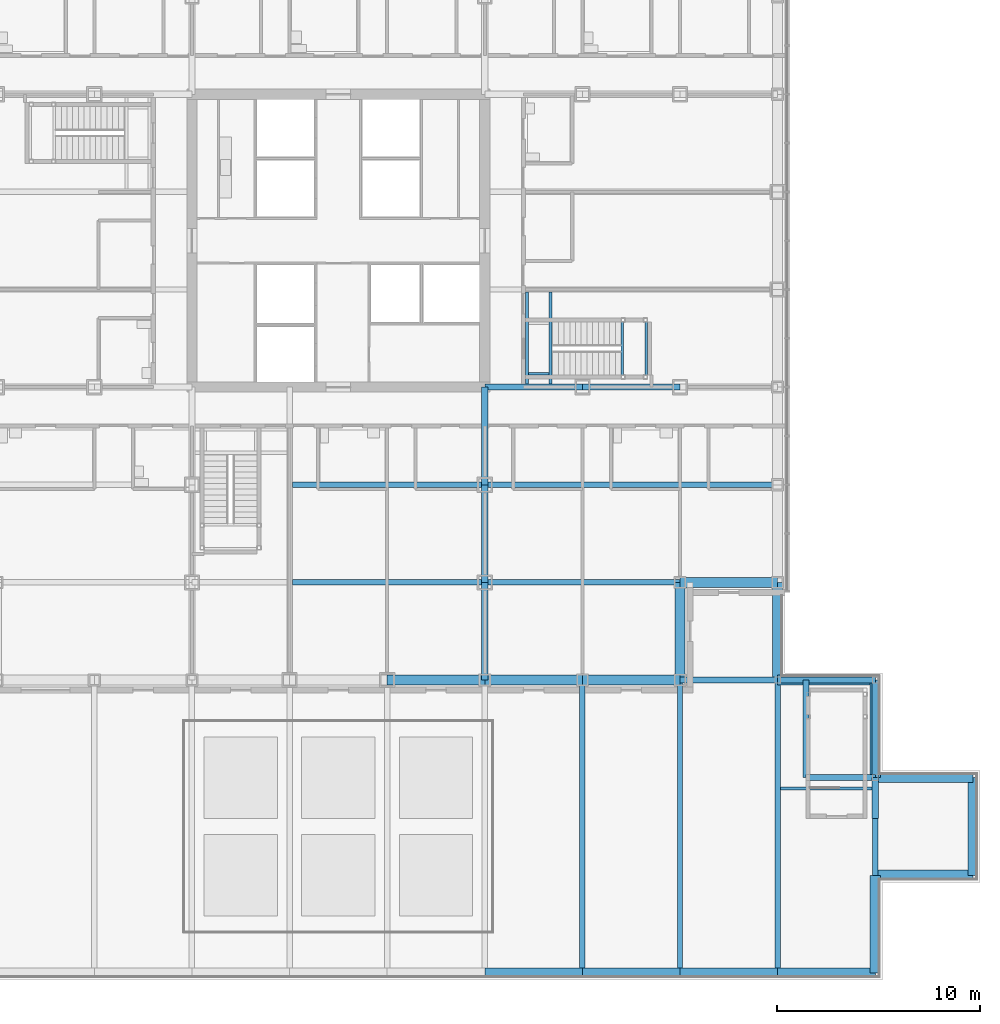
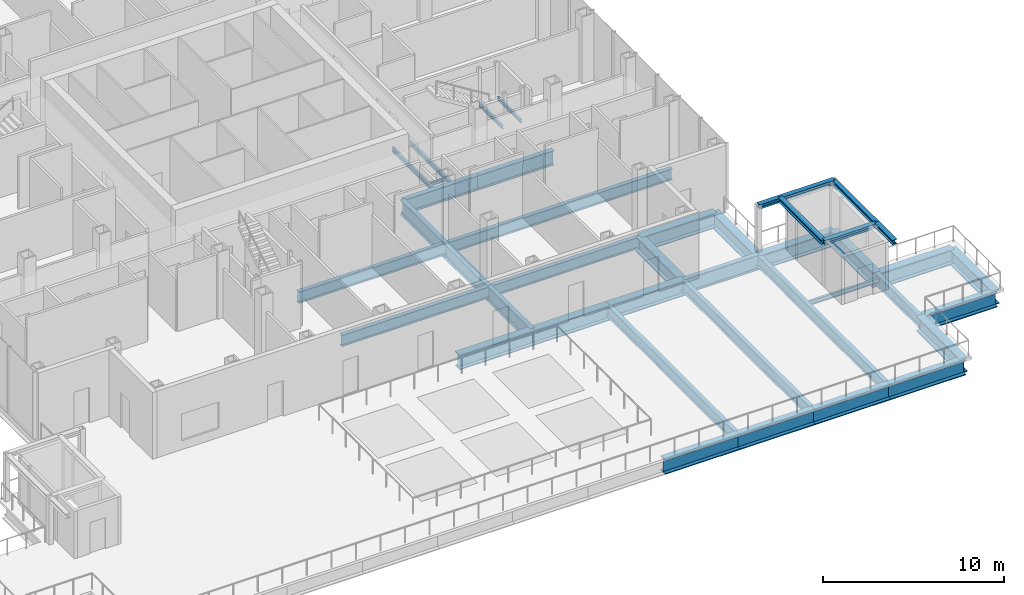
# One storey, part 10 of 24: 41 beams.
"""IFC4 building model written with IfcOpenShell, lengths in metres."""

import ifcopenshell
import ifcopenshell.guid

model = None  # the IFC model being written
_history = None  # IfcOwnerHistory: only IFC2X3 demands one
_inside = {}  # id of a spatial element -> (the spatial element, [elements in it])
_under = {}  # id of a project, library or spatial element -> (it, [spatial elements below it])
_declared = {}  # id of a project -> (the project, [libraries it declares])
_typed = {}  # id of a type object -> (the type object, [elements of that type])
_made_of = {}  # id of a material, layer set ... -> (it, [elements and type objects made of it])


def new_model(schema):
    """Start an empty IFC model of exactly this schema.

    Asked for "IFC4X3", IfcOpenShell would pick the latest addendum, in which some entities
    have other attributes; the version numbers below select the first issue.
    IFC2X3 requires an IfcOwnerHistory on every rooted entity: one is made here for all.
    """
    global model, _history
    if schema == "IFC4X3":
        model = ifcopenshell.file(schema_version=(4, 3, 0, 0))
    else:
        model = ifcopenshell.file(schema=schema)
    _inside.clear()
    _under.clear()
    _declared.clear()
    _typed.clear()
    _made_of.clear()
    _history = None
    if model.schema == "IFC2X3":
        org = make("IfcOrganization", Name="unknown")
        user = make(
            "IfcPersonAndOrganization",
            ThePerson=make("IfcPerson", FamilyName="unknown"),
            TheOrganization=org,
        )
        app = make(
            "IfcApplication",
            ApplicationDeveloper=org,
            Version="unknown",
            ApplicationFullName="unknown",
            ApplicationIdentifier="unknown",
        )
        _history = make(
            "IfcOwnerHistory",
            OwningUser=user,
            OwningApplication=app,
            ChangeAction="ADDED",
            CreationDate=0,
        )
    return model


def make(cls, **values):
    """One entity of the class cls with the attributes given. An attribute that is None is left unset."""
    return model.create_entity(
        cls, **{name: value for name, value in values.items() if value is not None}
    )


def rooted(cls, **values):
    """An entity with a GlobalId (a new one), such as an element, a storey or a relation."""
    return make(cls, GlobalId=ifcopenshell.guid.new(), OwnerHistory=_history, **values)


def si_unit(unit_type, name, prefix=None):
    """IfcSIUnit, for example si_unit("LENGTHUNIT", "METRE", prefix="MILLI")."""
    return make("IfcSIUnit", UnitType=unit_type, Prefix=prefix, Name=name)


def assignment(units):
    """IfcUnitAssignment: the units of a project."""
    return None if units is None else make("IfcUnitAssignment", Units=units)


def point(xyz):
    """IfcCartesianPoint."""
    return None if xyz is None else make("IfcCartesianPoint", Coordinates=xyz)


def direction(xyz):
    """IfcDirection."""
    return None if xyz is None else make("IfcDirection", DirectionRatios=xyz)


def frame(location, z_axis=None, x_axis=None):
    """IfcAxis2Placement3D, a coordinate frame: its origin and axes. An axis left out is left unset."""
    return make(
        "IfcAxis2Placement3D",
        Location=point(location),
        Axis=direction(z_axis),
        RefDirection=direction(x_axis),
    )


def frame_2d(location, x_axis=None):
    """IfcAxis2Placement2D, a coordinate frame in the plane: its origin and x axis."""
    return make(
        "IfcAxis2Placement2D", Location=point(location), RefDirection=direction(x_axis)
    )


def origin():
    """The frame at (0, 0, 0) with its axes left unset."""
    return frame((0.0, 0.0, 0.0))


def origin_2d():
    """The frame at (0, 0) in the plane with its x axis left unset."""
    return frame_2d((0.0, 0.0))


def place(relative_to, where):
    """IfcLocalPlacement: puts the frame where relative to a parent placement (None: the world)."""
    return make(
        "IfcLocalPlacement", PlacementRelTo=relative_to, RelativePlacement=where
    )


def context(
    kind, dimensions, precision=None, world=None, true_north=None, identifier=None
):
    """IfcGeometricRepresentationContext, for example the 3D "Model" context."""
    return make(
        "IfcGeometricRepresentationContext",
        ContextIdentifier=identifier,
        ContextType=kind,
        CoordinateSpaceDimension=dimensions,
        Precision=precision,
        WorldCoordinateSystem=world,
        TrueNorth=true_north,
    )


def subcontext(parent, identifier, kind, view, scale=None):
    """IfcGeometricRepresentationSubContext, for example "Body" below "Model"."""
    return make(
        "IfcGeometricRepresentationSubContext",
        ContextIdentifier=identifier,
        ContextType=kind,
        ParentContext=parent,
        TargetScale=scale,
        TargetView=view,
    )


def project(units=None, contexts=None):
    """IfcProject with its units and contexts."""
    return rooted(
        "IfcProject",
        Name="project",
        RepresentationContexts=contexts,
        UnitsInContext=assignment(units),
    )


def spatial(cls, under=None, at=None, **own):
    """A site, building, storey or space (cls), placed at a placement, below another one or the project."""
    s = rooted(cls, ObjectPlacement=at, **own)
    if under is not None:
        _under.setdefault(under.id(), (under, []))[1].append(s)
    return s


def profile(cls, at=None, kind="AREA", **sizes):
    """A parametric profile (cls). Its sizes go by their IFC names, for example OverallWidth=200.0."""
    return make(cls, ProfileType=kind, Position=at, **sizes)


def i_section(**sizes):
    """IfcIShapeProfileDef."""
    return profile("IfcIShapeProfileDef", **sizes)


def extrude(swept, where, along, depth):
    """IfcExtrudedAreaSolid: the profile swept, set in the frame where, extruded along a direction by depth."""
    return make(
        "IfcExtrudedAreaSolid",
        SweptArea=swept,
        Position=where,
        ExtrudedDirection=direction(along),
        Depth=depth,
    )


def shape(context_of_items, identifier, shape_type, items):
    """IfcShapeRepresentation: the items that make up one representation, for example the "Body"."""
    return make(
        "IfcShapeRepresentation",
        ContextOfItems=context_of_items,
        RepresentationIdentifier=identifier,
        RepresentationType=shape_type,
        Items=items,
    )


def material(Name=None, Category=None):
    """IfcMaterial."""
    return make("IfcMaterial", Name=Name, Category=Category)


def material_profile(
    of_material, cross_section, Name=None, Category=None, Priority=None
):
    """IfcMaterialProfile: a cross section and its material."""
    return make(
        "IfcMaterialProfile",
        Name=Name,
        Material=of_material,
        Profile=cross_section,
        Priority=Priority,
        Category=Category,
    )


def profile_set(profiles, Name=None, composite=None):
    """IfcMaterialProfileSet."""
    return make(
        "IfcMaterialProfileSet",
        Name=Name,
        MaterialProfiles=profiles,
        CompositeProfile=composite,
    )


def made_of(thing, what):
    """Note that an element or type object is made of a material, layer set ...; save() writes the relation."""
    if what is not None:
        _made_of.setdefault(what.id(), (what, []))[1].append(thing)
    return thing


def type_object(cls, material=None, **own):
    """A type object (cls), such as IfcWallType, which elements share."""
    return made_of(rooted(cls, **own), material)


def element(
    cls,
    number,
    at=None,
    inside=None,
    cuts=None,
    type_object=None,
    material=None,
    context=None,
    identifier="Body",
    shape_type=None,
    held_by="IfcProductDefinitionShape",
    body=None,
    shapes=None,
    **own,
):
    """One element of the class cls, such as IfcWall. Its Tag is "e" and its number.

    at: its placement. inside: the storey or other place that contains it. cuts: it is an
    opening in that element (IfcRelVoidsElement). A single representation is given by context,
    identifier, shape_type and body (its items); several are given by shapes. held_by: the class
    of the entity that holds the representations. save() writes the other relations.
    """
    e = rooted(cls, Tag="e%d" % number, ObjectPlacement=at, **own)
    if body is not None:
        shapes = [shape(context, identifier, shape_type, body)]
    if shapes is not None:
        e.Representation = make(held_by, Representations=shapes)
    if inside is not None:
        _inside.setdefault(inside.id(), (inside, []))[1].append(e)
    if cuts is not None:
        rooted(
            "IfcRelVoidsElement", RelatingBuildingElement=cuts, RelatedOpeningElement=e
        )
    if type_object is not None:
        _typed.setdefault(type_object.id(), (type_object, []))[1].append(e)
    return made_of(e, material)


def aggregate(whole, parts):
    """IfcRelAggregates: a whole, such as a stair, and the parts it consists of."""
    return rooted("IfcRelAggregates", RelatingObject=whole, RelatedObjects=parts)


def save(model, path):
    """Write the relations noted so far, then the file.

    IfcRelAggregates (storeys below a building ...), IfcRelContainedInSpatialStructure (elements
    in a storey), IfcRelDefinesByType, IfcRelAssociatesMaterial and IfcRelDeclares: one each for
    every whole, place, type object, material and project.
    """
    for whole, parts in _under.values():
        aggregate(whole, parts)
    for where, things in _inside.values():
        rooted(
            "IfcRelContainedInSpatialStructure",
            RelatedElements=things,
            RelatingStructure=where,
        )
    for kind, things in _typed.values():
        rooted("IfcRelDefinesByType", RelatedObjects=things, RelatingType=kind)
    for what, things in _made_of.values():
        rooted("IfcRelAssociatesMaterial", RelatedObjects=things, RelatingMaterial=what)
    for by, libraries in _declared.values():
        rooted("IfcRelDeclares", RelatingContext=by, RelatedDefinitions=libraries)
    model.write(path)


model = new_model("IFC4")

# Units and contexts
model_context = context("Model", 3, precision=1e-05, world=origin(), true_north=direction((0.0, 1.0)))
body_context = subcontext(model_context, "Body", "Model", "MODEL_VIEW")
ifc_project = project(units=[si_unit("LENGTHUNIT", "METRE"), si_unit("AREAUNIT", "SQUARE_METRE"), si_unit("VOLUMEUNIT", "CUBIC_METRE"), si_unit("PLANEANGLEUNIT", "RADIAN"), si_unit("MASSUNIT", "GRAM", prefix="KILO")], contexts=[model_context])

# Site, building, storey
site_placement = place(None, origin())
site = spatial("IfcSite", under=ifc_project, at=site_placement, CompositionType="ELEMENT")
building_placement = place(site_placement, origin())
building = spatial("IfcBuilding", under=site, at=building_placement, Name="Kvirike Care Tower", CompositionType="ELEMENT")
storey_placement = place(building_placement, frame((0.0, 0.0, 22.5)))
storey = spatial("IfcBuildingStorey", under=building, at=storey_placement, Name="L05", CompositionType="ELEMENT", Elevation=22.5)

# Beams
ifc_material_1 = material(Name="Steel S355", Category="steel")
ifc_material_profile_1 = material_profile(ifc_material_1, i_section(OverallWidth=0.26806640625, OverallDepth=0.77001953125, WebThickness=0.015625, FlangeThickness=0.025390625, FilletRadius=0.01708984375, at=origin_2d()), Name="IPE 750x196")
ifc_profile_set_1 = profile_set([ifc_material_profile_1], Name="Steel S355")
beam_type_1 = type_object("IfcBeamType", Name="FLOOR BEAM IPE 750x196", PredefinedType="BEAM", material=ifc_profile_set_1)
beam_1_placement = place(storey_placement, frame((19.333984375, 19.199951171875, -0.554931640625), z_axis=(1.0, 0.0, 0.0), x_axis=(0.0, 1.0, 0.0)))
element("IfcBeam", 1, at=beam_1_placement, inside=storey, type_object=beam_type_1, Name="Floor Beam E7-E9 L05", PredefinedType="BEAM", context=body_context, shape_type="SweptSolid", body=[
    extrude(i_section(OverallWidth=0.26806640625, OverallDepth=0.77001953125, WebThickness=0.015625, FlangeThickness=0.025390625, FilletRadius=0.01708984375, at=origin_2d()), origin(), (0.0, 0.0, 1.0), 9.466064453125),
])
beam_2_placement = place(storey_placement, frame((28.800048828125, 19.199951171875, -0.554931640625), z_axis=(1.0, 0.0, 0.0), x_axis=(0.0, 1.0, 0.0)))
element("IfcBeam", 2, at=beam_2_placement, inside=storey, type_object=beam_type_1, Name="Floor Beam E9-E11 L05", PredefinedType="BEAM", context=body_context, shape_type="SweptSolid", body=[
    extrude(i_section(OverallWidth=0.26806640625, OverallDepth=0.77001953125, WebThickness=0.015625, FlangeThickness=0.025390625, FilletRadius=0.01708984375, at=origin_2d()), origin(), (0.0, 0.0, 1.0), 9.599853515625),
])
beam_3_placement = place(storey_placement, frame((19.333984375, 24.0, -0.554931640625), z_axis=(1.0, 0.0, 0.0), x_axis=(0.0, 1.0, 0.0)))
element("IfcBeam", 3, at=beam_3_placement, inside=storey, type_object=beam_type_1, Name="Floor Beam F7-F9 L05", PredefinedType="BEAM", context=body_context, shape_type="SweptSolid", body=[
    extrude(i_section(OverallWidth=0.26806640625, OverallDepth=0.77001953125, WebThickness=0.015625, FlangeThickness=0.025390625, FilletRadius=0.01708984375, at=origin_2d()), origin(), (0.0, 0.0, 1.0), 9.466064453125),
])
for number, where, z_axis, x_axis, name in (
    (4, (28.800048828125, 24.0, -0.554931640625), (1.0, 0.0, 0.0), (0.0, 1.0, 0.0), "Floor Beam F9-F12 L05"),
    (5, (33.60009765625, 0.0, -0.554931640625), (0.0, 1.0, 0.0), (-1.0, 0.0, 0.0), "Floor Beam A10-D10 L05"),
    (6, (38.39990234375, 0.0, -0.554931640625), (0.0, 1.0, 0.0), (-1.0, 0.0, 0.0), "Floor Beam A11-D11 L05"),
    (7, (43.199951171875, 0.0, -0.554931640625), (0.0, 1.0, 0.0), (-1.0, 0.0, 0.0), "Floor Beam A12-D12 L05"),
):
    element("IfcBeam", number, at=place(storey_placement, frame(where, z_axis=z_axis, x_axis=x_axis)), inside=storey, type_object=beam_type_1, Name=name, PredefinedType="BEAM", context=body_context, shape_type="SweptSolid", body=[
        extrude(i_section(OverallWidth=0.26806640625, OverallDepth=0.77001953125, WebThickness=0.015625, FlangeThickness=0.025390625, FilletRadius=0.01708984375, at=origin_2d()), origin(), (0.0, 0.0, 1.0), 14.39990234375),
    ])
beam_4_placement = place(storey_placement, frame((48.0, 4.800048828125, -0.554931640625), z_axis=(0.0, 1.0, 0.0), x_axis=(-1.0, 0.0, 0.0)))
element("IfcBeam", 8, at=beam_4_placement, inside=storey, type_object=beam_type_1, Name="Floor Beam B13-C13 L05", PredefinedType="BEAM", context=body_context, shape_type="SweptSolid", body=[
    extrude(i_section(OverallWidth=0.26806640625, OverallDepth=0.77001953125, WebThickness=0.015625, FlangeThickness=0.025390625, FilletRadius=0.01708984375, at=origin_2d()), origin(), (0.0, 0.0, 1.0), 4.800048828125),
])
ifc_material_2 = material(Name="Steel S355", Category="steel")
ifc_material_profile_2 = material_profile(ifc_material_2, i_section(OverallWidth=0.300048828125, OverallDepth=1.0, WebThickness=0.01904296875, FlangeThickness=0.035888671875, FilletRadius=0.030029296875, at=origin_2d()), Name="HE 1000 B")
ifc_profile_set_2 = profile_set([ifc_material_profile_2], Name="Steel S355")
beam_type_2 = type_object("IfcBeamType", Name="FRAME BEAM HE 1000 B", PredefinedType="BEAM", material=ifc_profile_set_2)
for number, where, z_axis, x_axis, name in (
    (9, (38.39990234375, 14.39990234375, -0.669921875), (1.0, 0.0, 0.0), (0.0, 1.0, 0.0), "Frame Beam D11-D12 L05"),
    (10, (28.800048828125, 28.800048828125, -0.669921875), (1.0, 0.0, 0.0), (0.0, 1.0, 0.0), "Frame Beam G9-G10 L05"),
):
    element("IfcBeam", number, at=place(storey_placement, frame(where, z_axis=z_axis, x_axis=x_axis)), inside=storey, type_object=beam_type_2, Name=name, PredefinedType="BEAM", context=body_context, shape_type="SweptSolid", body=[
        extrude(i_section(OverallWidth=0.300048828125, OverallDepth=1.0, WebThickness=0.01904296875, FlangeThickness=0.035888671875, FilletRadius=0.030029296875, at=origin_2d()), origin(), (0.0, 0.0, 1.0), 4.800048828125),
    ])
beam_5_placement = place(storey_placement, frame((33.60009765625, 28.800048828125, -0.669921875), z_axis=(1.0, 0.0, 0.0), x_axis=(0.0, 1.0, 0.0)))
element("IfcBeam", 11, at=beam_5_placement, inside=storey, type_object=beam_type_2, Name="Frame Beam G10-G11 L05", PredefinedType="BEAM", context=body_context, shape_type="SweptSolid", body=[
    extrude(i_section(OverallWidth=0.300048828125, OverallDepth=1.0, WebThickness=0.01904296875, FlangeThickness=0.035888671875, FilletRadius=0.030029296875, at=origin_2d()), origin(), (0.0, 0.0, 1.0), 4.7998046875),
])
for number, where, z_axis, x_axis, name in (
    (12, (28.800048828125, 14.39990234375, -0.669921875), (0.0, 1.0, 0.0), (-1.0, 0.0, 0.0), "Frame Beam D9-E9 L05"),
    (13, (28.800048828125, 19.199951171875, -0.669921875), (0.0, 1.0, 0.0), (-1.0, 0.0, 0.0), "Frame Beam E9-F9 L05"),
    (14, (28.800048828125, 24.0, -0.669921875), (0.0, 1.0, 0.0), (-1.0, 0.0, 0.0), "Frame Beam F9-G9 L05"),
):
    element("IfcBeam", number, at=place(storey_placement, frame(where, z_axis=z_axis, x_axis=x_axis)), inside=storey, type_object=beam_type_2, Name=name, PredefinedType="BEAM", context=body_context, shape_type="SweptSolid", body=[
        extrude(i_section(OverallWidth=0.300048828125, OverallDepth=1.0, WebThickness=0.01904296875, FlangeThickness=0.035888671875, FilletRadius=0.030029296875, at=origin_2d()), origin(), (0.0, 0.0, 1.0), 4.800048828125),
    ])
ifc_material_3 = material(Name="Steel S355", Category="steel")
ifc_material_profile_3 = material_profile(ifc_material_3, i_section(OverallWidth=0.300048828125, OverallDepth=0.300048828125, WebThickness=0.010986328125, FlangeThickness=0.01904296875, FilletRadius=0.027099609375, at=origin_2d()), Name="HE 300 B")
ifc_profile_set_3 = profile_set([ifc_material_profile_3], Name="Steel S355")
beam_type_3 = type_object("IfcBeamType", Name="HEAD-HOUSE ROOF BEAM HE 300 B", PredefinedType="BEAM", material=ifc_profile_set_3)
beam_6_placement = place(storey_placement, frame((48.0, 7.60009765625, 3.050048828125), z_axis=(0.0, 1.0, 0.0), x_axis=(-1.0, 0.0, 0.0)))
element("IfcBeam", 15, at=beam_6_placement, inside=storey, type_object=beam_type_3, Name="Stair 4 head-house roof beam 1", PredefinedType="BEAM", context=body_context, shape_type="SweptSolid", body=[
    extrude(i_section(OverallWidth=0.300048828125, OverallDepth=0.300048828125, WebThickness=0.010986328125, FlangeThickness=0.01904296875, FilletRadius=0.027099609375, at=origin_2d()), origin(), (0.0, 0.0, 1.0), 2.0),
])
beam_7_placement = place(storey_placement, frame((48.0, 9.60009765625, 3.050048828125), z_axis=(0.0, 1.0, 0.0), x_axis=(-1.0, 0.0, 0.0)))
element("IfcBeam", 16, at=beam_7_placement, inside=storey, type_object=beam_type_3, Name="Stair 4 head-house roof beam 2", PredefinedType="BEAM", context=body_context, shape_type="SweptSolid", body=[
    extrude(i_section(OverallWidth=0.300048828125, OverallDepth=0.300048828125, WebThickness=0.010986328125, FlangeThickness=0.01904296875, FilletRadius=0.027099609375, at=origin_2d()), origin(), (0.0, 0.0, 1.0), 4.7998046875),
])
beam_8_placement = place(storey_placement, frame((48.0, 14.39990234375, 3.050048828125), z_axis=(-1.0, 0.0, 0.0), x_axis=(0.0, -1.0, 0.0)))
element("IfcBeam", 17, at=beam_8_placement, inside=storey, type_object=beam_type_3, Name="Stair 4 head-house roof beam 3", PredefinedType="BEAM", context=body_context, shape_type="SweptSolid", body=[
    extrude(i_section(OverallWidth=0.300048828125, OverallDepth=0.300048828125, WebThickness=0.010986328125, FlangeThickness=0.01904296875, FilletRadius=0.027099609375, at=origin_2d()), origin(), (0.0, 0.0, 1.0), 4.800048828125),
])
beam_9_placement = place(storey_placement, frame((48.0, 9.60009765625, 3.050048828125), z_axis=(-1.0, 0.0, 0.0), x_axis=(0.0, -1.0, 0.0)))
element("IfcBeam", 18, at=beam_9_placement, inside=storey, type_object=beam_type_3, Name="Stair 4 head-house roof beam 4", PredefinedType="BEAM", context=body_context, shape_type="SweptSolid", body=[
    extrude(i_section(OverallWidth=0.300048828125, OverallDepth=0.300048828125, WebThickness=0.010986328125, FlangeThickness=0.01904296875, FilletRadius=0.027099609375, at=origin_2d()), origin(), (0.0, 0.0, 1.0), 3.39990234375),
])
beam_10_placement = place(storey_placement, frame((44.60009765625, 9.60009765625, 3.050048828125), z_axis=(0.0, 1.0, 0.0), x_axis=(-1.0, 0.0, 0.0)))
element("IfcBeam", 19, at=beam_10_placement, inside=storey, type_object=beam_type_3, Name="Stair 4 head-house roof beam 5", PredefinedType="BEAM", context=body_context, shape_type="SweptSolid", body=[
    extrude(i_section(OverallWidth=0.300048828125, OverallDepth=0.300048828125, WebThickness=0.010986328125, FlangeThickness=0.01904296875, FilletRadius=0.027099609375, at=origin_2d()), origin(), (0.0, 0.0, 1.0), 4.7998046875),
])
ifc_material_4 = material(Name="Steel S355", Category="steel")
ifc_material_profile_4 = material_profile(ifc_material_4, i_section(OverallWidth=0.5, OverallDepth=1.0, WebThickness=0.030029296875, FlangeThickness=0.06005859375, at=origin_2d()), Name="PG 1000x500x30x60")
ifc_profile_set_4 = profile_set([ifc_material_profile_4], Name="Steel S355")
beam_type_4 = type_object("IfcBeamType", Name="SPANDREL PG 1000x500x30x60", PredefinedType="SPANDREL", material=ifc_profile_set_4)
beam_11_placement = place(storey_placement, frame((28.800048828125, 0.0, -0.669921875), z_axis=(1.0, 0.0, 0.0), x_axis=(0.0, 1.0, 0.0)))
element("IfcBeam", 20, at=beam_11_placement, inside=storey, type_object=beam_type_4, Name="Spandrel A9-A10 L05", PredefinedType="SPANDREL", context=body_context, shape_type="SweptSolid", body=[
    extrude(i_section(OverallWidth=0.5, OverallDepth=1.0, WebThickness=0.030029296875, FlangeThickness=0.06005859375, at=origin_2d()), origin(), (0.0, 0.0, 1.0), 4.800048828125),
])
beam_12_placement = place(storey_placement, frame((33.60009765625, 0.0, -0.669921875), z_axis=(1.0, 0.0, 0.0), x_axis=(0.0, 1.0, 0.0)))
element("IfcBeam", 21, at=beam_12_placement, inside=storey, type_object=beam_type_4, Name="Spandrel A10-A11 L05", PredefinedType="SPANDREL", context=body_context, shape_type="SweptSolid", body=[
    extrude(i_section(OverallWidth=0.5, OverallDepth=1.0, WebThickness=0.030029296875, FlangeThickness=0.06005859375, at=origin_2d()), origin(), (0.0, 0.0, 1.0), 4.7998046875),
])
for number, where, z_axis, x_axis, name in (
    (22, (38.39990234375, 0.0, -0.669921875), (1.0, 0.0, 0.0), (0.0, 1.0, 0.0), "Spandrel A11-A12 L05"),
    (23, (43.199951171875, 0.0, -0.669921875), (1.0, 0.0, 0.0), (0.0, 1.0, 0.0), "Spandrel A12-A13 L05"),
    (24, (48.0, 4.800048828125, -0.669921875), (1.0, 0.0, 0.0), (0.0, 1.0, 0.0), "Spandrel B13-B14 L05"),
    (25, (48.0, 9.60009765625, -0.669921875), (1.0, 0.0, 0.0), (0.0, 1.0, 0.0), "Spandrel C13-C14 L05"),
    (26, (24.0, 14.39990234375, -0.669921875), (1.0, 0.0, 0.0), (0.0, 1.0, 0.0), "Spandrel D8-D9 L05"),
    (27, (28.800048828125, 14.39990234375, -0.669921875), (1.0, 0.0, 0.0), (0.0, 1.0, 0.0), "Spandrel D9-D10 L05"),
):
    element("IfcBeam", number, at=place(storey_placement, frame(where, z_axis=z_axis, x_axis=x_axis)), inside=storey, type_object=beam_type_4, Name=name, PredefinedType="SPANDREL", context=body_context, shape_type="SweptSolid", body=[
        extrude(i_section(OverallWidth=0.5, OverallDepth=1.0, WebThickness=0.030029296875, FlangeThickness=0.06005859375, at=origin_2d()), origin(), (0.0, 0.0, 1.0), 4.800048828125),
    ])
beam_13_placement = place(storey_placement, frame((33.60009765625, 14.39990234375, -0.669921875), z_axis=(1.0, 0.0, 0.0), x_axis=(0.0, 1.0, 0.0)))
element("IfcBeam", 28, at=beam_13_placement, inside=storey, type_object=beam_type_4, Name="Spandrel D10-D11 L05", PredefinedType="SPANDREL", context=body_context, shape_type="SweptSolid", body=[
    extrude(i_section(OverallWidth=0.5, OverallDepth=1.0, WebThickness=0.030029296875, FlangeThickness=0.06005859375, at=origin_2d()), origin(), (0.0, 0.0, 1.0), 4.7998046875),
])
for number, where, z_axis, x_axis, name in (
    (29, (43.199951171875, 14.39990234375, -0.669921875), (1.0, 0.0, 0.0), (0.0, 1.0, 0.0), "Spandrel D12-D13 L05"),
    (30, (38.39990234375, 19.199951171875, -0.669921875), (1.0, 0.0, 0.0), (0.0, 1.0, 0.0), "Spandrel E11-E12 L05"),
    (31, (38.39990234375, 14.39990234375, -0.669921875), (0.0, 1.0, 0.0), (-1.0, 0.0, 0.0), "Spandrel D11-E11 L05"),
    (32, (43.199951171875, 14.39990234375, -0.669921875), (0.0, 1.0, 0.0), (-1.0, 0.0, 0.0), "Spandrel D12-E12 L05"),
    (33, (48.0, 0.0, -0.669921875), (0.0, 1.0, 0.0), (-1.0, 0.0, 0.0), "Spandrel A13-B13 L05"),
):
    element("IfcBeam", number, at=place(storey_placement, frame(where, z_axis=z_axis, x_axis=x_axis)), inside=storey, type_object=beam_type_4, Name=name, PredefinedType="SPANDREL", context=body_context, shape_type="SweptSolid", body=[
        extrude(i_section(OverallWidth=0.5, OverallDepth=1.0, WebThickness=0.030029296875, FlangeThickness=0.06005859375, at=origin_2d()), origin(), (0.0, 0.0, 1.0), 4.800048828125),
    ])
beam_14_placement = place(storey_placement, frame((48.0, 9.60009765625, -0.669921875), z_axis=(0.0, 1.0, 0.0), x_axis=(-1.0, 0.0, 0.0)))
element("IfcBeam", 34, at=beam_14_placement, inside=storey, type_object=beam_type_4, Name="Spandrel C13-D13 L05", PredefinedType="SPANDREL", context=body_context, shape_type="SweptSolid", body=[
    extrude(i_section(OverallWidth=0.5, OverallDepth=1.0, WebThickness=0.030029296875, FlangeThickness=0.06005859375, at=origin_2d()), origin(), (0.0, 0.0, 1.0), 4.7998046875),
])
beam_15_placement = place(storey_placement, frame((52.800048828125, 4.800048828125, -0.669921875), z_axis=(0.0, 1.0, 0.0), x_axis=(-1.0, 0.0, 0.0)))
element("IfcBeam", 35, at=beam_15_placement, inside=storey, type_object=beam_type_4, Name="Spandrel B14-C14 L05", PredefinedType="SPANDREL", context=body_context, shape_type="SweptSolid", body=[
    extrude(i_section(OverallWidth=0.5, OverallDepth=1.0, WebThickness=0.030029296875, FlangeThickness=0.06005859375, at=origin_2d()), origin(), (0.0, 0.0, 1.0), 4.800048828125),
])
ifc_material_5 = material(Name="Steel S355", Category="steel")
ifc_material_profile_5 = material_profile(ifc_material_5, i_section(OverallWidth=0.1201171875, OverallDepth=0.239990234375, WebThickness=0.006103515625, FlangeThickness=0.009765625, FilletRadius=0.014892578125, at=origin_2d()), Name="IPE 240")
ifc_profile_set_5 = profile_set([ifc_material_profile_5], Name="Steel S355")
beam_type_5 = type_object("IfcBeamType", Name="STAIR LANDING BEAM IPE 240", PredefinedType="BEAM", material=ifc_profile_set_5)
for number, where, z_axis, x_axis, name in (
    (36, (36.739990234375, 29.39990234375, 1.929931640625), (0.0, 1.0, 0.0), (-1.0, 0.0, 0.0), "Stair 2 landing beam back L05"),
    (37, (35.56005859375, 29.39990234375, 1.929931640625), (0.0, 1.0, 0.0), (-1.0, 0.0, 0.0), "Stair 2 landing beam front L05"),
):
    element("IfcBeam", number, at=place(storey_placement, frame(where, z_axis=z_axis, x_axis=x_axis)), inside=storey, type_object=beam_type_5, Name=name, PredefinedType="BEAM", context=body_context, shape_type="SweptSolid", body=[
        extrude(i_section(OverallWidth=0.1201171875, OverallDepth=0.239990234375, WebThickness=0.006103515625, FlangeThickness=0.009765625, FilletRadius=0.014892578125, at=origin_2d()), origin(), (0.0, 0.0, 1.0), 2.60009765625),
    ])
beam_16_placement = place(storey_placement, frame((31.949951171875, 29.4599609375, -0.320068359375), z_axis=(-1.0, 0.0, 0.0), x_axis=(0.0, -1.0, 0.0)))
element("IfcBeam", 38, at=beam_16_placement, inside=storey, type_object=beam_type_5, Name="Stair 2 landing edge beam 1 L05", PredefinedType="BEAM", context=body_context, shape_type="SweptSolid", body=[
    extrude(i_section(OverallWidth=0.1201171875, OverallDepth=0.239990234375, WebThickness=0.006103515625, FlangeThickness=0.009765625, FilletRadius=0.014892578125, at=origin_2d()), origin(), (0.0, 0.0, 1.0), 1.0),
])
ifc_material_6 = material(Name="Steel S355", Category="steel")
ifc_material_profile_6 = material_profile(ifc_material_6, i_section(OverallWidth=0.14990234375, OverallDepth=0.300048828125, WebThickness=0.007080078125, FlangeThickness=0.0107421875, FilletRadius=0.014892578125, at=origin_2d()), Name="IPE 300")
ifc_profile_set_6 = profile_set([ifc_material_profile_6], Name="Steel S355")
beam_type_6 = type_object("IfcBeamType", Name="STAIR TRIMMER IPE 300", PredefinedType="BEAM", material=ifc_profile_set_6)
for number, where, z_axis, x_axis, name in (
    (39, (32.02490234375, 28.949951171875, -0.35009765625), (0.0, 1.0, 0.0), (-1.0, 0.0, 0.0), "Stair 2 trimmer 1 L05"),
    (40, (30.875, 28.949951171875, -0.35009765625), (0.0, 1.0, 0.0), (-1.0, 0.0, 0.0), "Stair 2 trimmer 2 L05"),
):
    element("IfcBeam", number, at=place(storey_placement, frame(where, z_axis=z_axis, x_axis=x_axis)), inside=storey, type_object=beam_type_6, Name=name, PredefinedType="BEAM", context=body_context, shape_type="SweptSolid", body=[
        extrude(i_section(OverallWidth=0.14990234375, OverallDepth=0.300048828125, WebThickness=0.007080078125, FlangeThickness=0.0107421875, FilletRadius=0.014892578125, at=origin_2d()), origin(), (0.0, 0.0, 1.0), 4.51611328125),
    ])
beam_17_placement = place(storey_placement, frame((43.333984375, 9.06494140625, -0.320068359375), z_axis=(1.0, 0.0, 0.0), x_axis=(0.0, 1.0, 0.0)))
element("IfcBeam", 41, at=beam_17_placement, inside=storey, type_object=beam_type_6, Name="Stair 4 trimmer 2 L05", PredefinedType="BEAM", context=body_context, shape_type="SweptSolid", body=[
    extrude(i_section(OverallWidth=0.14990234375, OverallDepth=0.300048828125, WebThickness=0.007080078125, FlangeThickness=0.0107421875, FilletRadius=0.014892578125, at=origin_2d()), origin(), (0.0, 0.0, 1.0), 4.531982421875),
])

save(model, "model.ifc")
